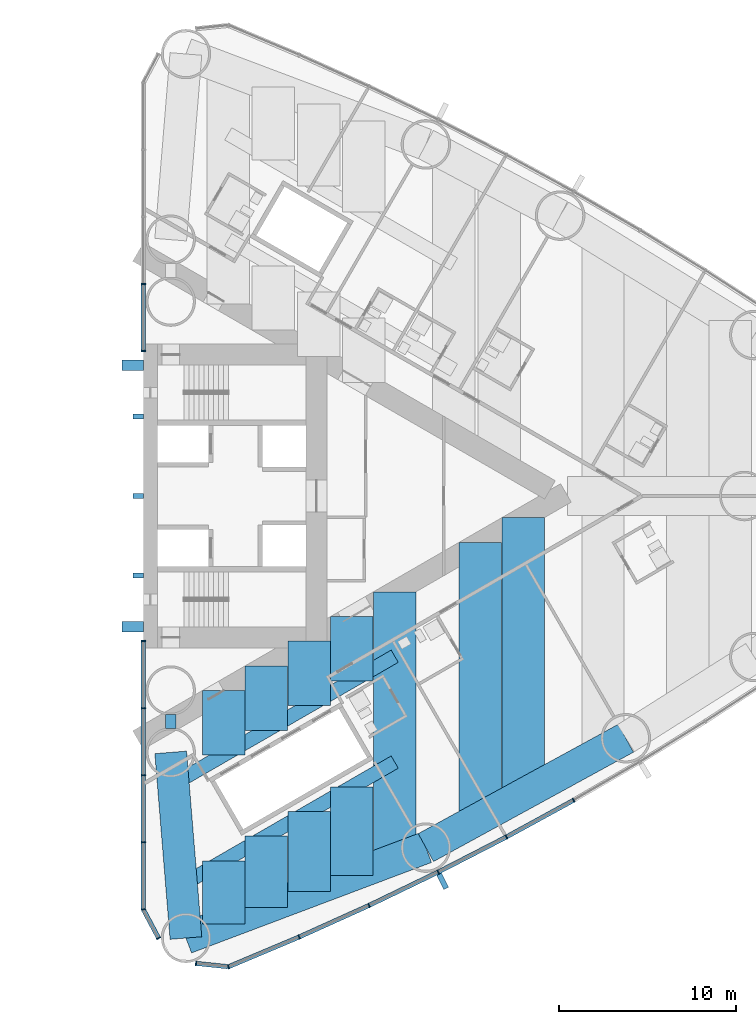
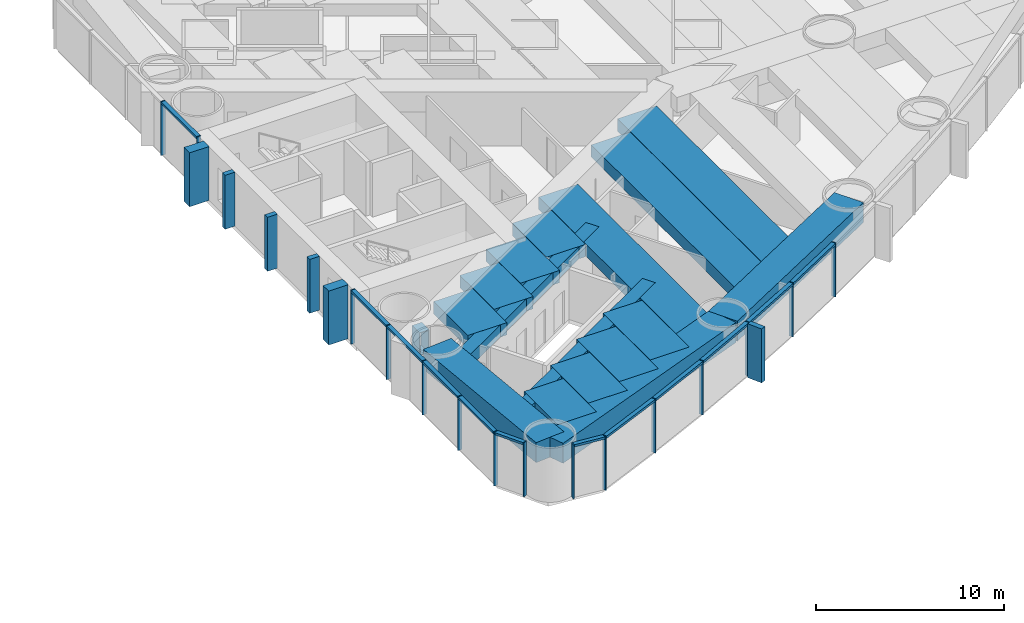
# One storey, part 6 of 18: 33 members, 17 beams, 3 elements without a shape of their own.
"""IFC4 building model written with IfcOpenShell, lengths in metres."""

from ifc_helpers import new_model, si_unit, direction, frame, origin, origin_2d, place, context, subcontext, project, spatial, rectangle, hollow_rectangle, extrude, material, material_profile, profile_set, type_object, element, aggregate, save


model = new_model("IFC4")

# Units and contexts
model_context = context("Model", 3, precision=1e-05, world=origin(), true_north=direction((0.0, 1.0)))
body_context = subcontext(model_context, "Body", "Model", "MODEL_VIEW")
ifc_project = project(units=[si_unit("LENGTHUNIT", "METRE"), si_unit("AREAUNIT", "SQUARE_METRE"), si_unit("VOLUMEUNIT", "CUBIC_METRE"), si_unit("PLANEANGLEUNIT", "RADIAN"), si_unit("MASSUNIT", "GRAM", prefix="KILO")], contexts=[model_context])

# Site, building, storey
site_placement = place(None, origin())
site = spatial("IfcSite", under=ifc_project, at=site_placement, CompositionType="ELEMENT")
building_placement = place(site_placement, origin())
building = spatial("IfcBuilding", under=site, at=building_placement, Name="Lancet Gate Hotel", CompositionType="ELEMENT")
storey_placement = place(building_placement, frame((0.0, 0.0, 46.0)))
storey = spatial("IfcBuildingStorey", under=building, at=storey_placement, Name="L11", CompositionType="ELEMENT", Elevation=46.0)

# Curtain wall, members
ifc_material_1 = material(Name="Aluminium curtain wall", Category="aluminium")
curtain_wall_type = type_object("IfcCurtainWallType", Name="Tower unitised curtain wall", PredefinedType="USERDEFINED", material=ifc_material_1)
curtain_wall_1_placement = place(storey_placement, origin())
curtain_wall_1 = element("IfcCurtainWall", 1, at=curtain_wall_1_placement, inside=storey, type_object=curtain_wall_type, Name="T2 L11 curtain wall 1", ObjectType="UNITISED CURTAIN WALL", PredefinedType="USERDEFINED")
ifc_material_2 = material(Name="Aluminium mullion", Category="aluminium")
ifc_material_profile_1 = material_profile(ifc_material_2, rectangle(XDim=0.06494140625, YDim=0.25, at=origin_2d()), Name="MULLION 65x250")
ifc_profile_set_1 = profile_set([ifc_material_profile_1], Name="Aluminium mullion")
member_type_1 = type_object("IfcMemberType", Name="Aluminium mullion 65x250", PredefinedType="MULLION", material=ifc_profile_set_1)
member_1_placement = place(storey_placement, frame((27.5, -8.199951171875, 0.0), z_axis=(0.0, 0.0, 1.0), x_axis=(0.0, -1.0, 0.0)))
member_1 = element("IfcMember", 2, at=member_1_placement, type_object=member_type_1, Name="T2 L11 curtain wall 1 mullion 1", PredefinedType="MULLION", context=body_context, shape_type="SweptSolid", body=[
    extrude(rectangle(XDim=0.06494140625, YDim=0.25, at=origin_2d()), origin(), (0.0, 0.0, 1.0), 3.5),
])
member_2_placement = place(storey_placement, frame((27.5, -11.99609375, 0.0), z_axis=(0.0, 0.0, 1.0), x_axis=(0.0, -1.0, 0.0)))
member_2 = element("IfcMember", 3, at=member_2_placement, type_object=member_type_1, Name="T2 L11 curtain wall 1 mullion 2", PredefinedType="MULLION", context=body_context, shape_type="SweptSolid", body=[
    extrude(rectangle(XDim=0.06494140625, YDim=0.25, at=origin_2d()), origin(), (0.0, 0.0, 1.0), 3.5),
])
member_3_placement = place(storey_placement, frame((27.5, -15.79248046875, 0.0), z_axis=(0.0, 0.0, 1.0), x_axis=(0.0, -1.0, 0.0)))
member_3 = element("IfcMember", 4, at=member_3_placement, type_object=member_type_1, Name="T2 L11 curtain wall 1 mullion 3", PredefinedType="MULLION", context=body_context, shape_type="SweptSolid", body=[
    extrude(rectangle(XDim=0.06494140625, YDim=0.25, at=origin_2d()), origin(), (0.0, 0.0, 1.0), 3.5),
])
member_4_placement = place(storey_placement, frame((27.5, -19.588623046875, 0.0), z_axis=(0.0, 0.0, 1.0), x_axis=(0.0, -1.0, 0.0)))
member_4 = element("IfcMember", 5, at=member_4_placement, type_object=member_type_1, Name="T2 L11 curtain wall 1 mullion 4", PredefinedType="MULLION", context=body_context, shape_type="SweptSolid", body=[
    extrude(rectangle(XDim=0.06494140625, YDim=0.25, at=origin_2d()), origin(), (0.0, 0.0, 1.0), 3.5),
])
member_5_placement = place(storey_placement, frame((27.5, -23.384765625, 0.0), z_axis=(0.0, 0.0, 1.0), x_axis=(0.157751691459, -0.987478811844, 0.0)))
member_5 = element("IfcMember", 6, at=member_5_placement, type_object=member_type_1, Name="T2 L11 curtain wall 1 mullion 5", PredefinedType="MULLION", context=body_context, shape_type="SweptSolid", body=[
    extrude(rectangle(XDim=0.06494140625, YDim=0.25, at=origin_2d()), origin(), (0.0, 0.0, 1.0), 3.5),
])
member_6_placement = place(storey_placement, frame((28.366455078125, -25.012451171875, 0.0), z_axis=(0.0, 0.0, 1.0), x_axis=(0.469897827284, -0.882720811987, 0.0)))
member_6 = element("IfcMember", 7, at=member_6_placement, type_object=member_type_1, Name="T2 L11 curtain wall 1 mullion 6", PredefinedType="MULLION", context=body_context, shape_type="SweptSolid", body=[
    extrude(rectangle(XDim=0.06494140625, YDim=0.25, at=origin_2d()), origin(), (0.0, 0.0, 1.0), 3.5),
])

curtain_wall_2_placement = place(storey_placement, origin())
curtain_wall_2 = element("IfcCurtainWall", 8, at=curtain_wall_2_placement, inside=storey, type_object=curtain_wall_type, Name="T2 L11 curtain wall 2", ObjectType="UNITISED CURTAIN WALL", PredefinedType="USERDEFINED")
member_7_placement = place(storey_placement, frame((30.48388671875, -26.4375, 0.0), z_axis=(0.0, 0.0, 1.0), x_axis=(0.994672262412, -0.10308778001, 0.0)))
member_7 = element("IfcMember", 9, at=member_7_placement, type_object=member_type_1, Name="T2 L11 curtain wall 2 mullion 1", PredefinedType="MULLION", context=body_context, shape_type="SweptSolid", body=[
    extrude(rectangle(XDim=0.06494140625, YDim=0.25, at=origin_2d()), origin(), (0.0, 0.0, 1.0), 3.5),
])
member_8_placement = place(storey_placement, frame((32.3173828125, -26.62744140625, 0.0), z_axis=(0.0, 0.0, 1.0), x_axis=(0.968721492963, 0.248150496819, 0.0)))
member_8 = element("IfcMember", 10, at=member_8_placement, type_object=member_type_1, Name="T2 L11 curtain wall 2 mullion 2", PredefinedType="MULLION", context=body_context, shape_type="SweptSolid", body=[
    extrude(rectangle(XDim=0.06494140625, YDim=0.25, at=origin_2d()), origin(), (0.0, 0.0, 1.0), 3.5),
])
member_9_placement = place(storey_placement, frame((36.31494140625, -24.943603515625, 0.0), z_axis=(0.0, 0.0, 1.0), x_axis=(0.916578705089, 0.399854320193, 0.0)))
member_9 = element("IfcMember", 11, at=member_9_placement, type_object=member_type_1, Name="T2 L11 curtain wall 2 mullion 3", PredefinedType="MULLION", context=body_context, shape_type="SweptSolid", body=[
    extrude(rectangle(XDim=0.06494140625, YDim=0.25, at=origin_2d()), origin(), (0.0, 0.0, 1.0), 3.5),
])
member_10_placement = place(storey_placement, frame((40.2685546875, -23.15869140625, 0.0), z_axis=(0.0, 0.0, 1.0), x_axis=(0.906104948671, 0.423052977762, 0.0)))
member_10 = element("IfcMember", 12, at=member_10_placement, type_object=member_type_1, Name="T2 L11 curtain wall 2 mullion 4", PredefinedType="MULLION", context=body_context, shape_type="SweptSolid", body=[
    extrude(rectangle(XDim=0.06494140625, YDim=0.25, at=origin_2d()), origin(), (0.0, 0.0, 1.0), 3.5),
])
member_11_placement = place(storey_placement, frame((44.17529296875, -21.273681640625, 0.0), z_axis=(0.0, 0.0, 1.0), x_axis=(0.895044147438, 0.445977548917, 0.0)))
member_11 = element("IfcMember", 13, at=member_11_placement, type_object=member_type_1, Name="T2 L11 curtain wall 2 mullion 5", PredefinedType="MULLION", context=body_context, shape_type="SweptSolid", body=[
    extrude(rectangle(XDim=0.06494140625, YDim=0.25, at=origin_2d()), origin(), (0.0, 0.0, 1.0), 3.5),
])
member_12_placement = place(storey_placement, frame((48.03271484375, -19.2900390625, 0.0), z_axis=(0.0, 0.0, 1.0), x_axis=(0.88340346743, 0.468613181347, 0.0)))
member_12 = element("IfcMember", 14, at=member_12_placement, type_object=member_type_1, Name="T2 L11 curtain wall 2 mullion 6", PredefinedType="MULLION", context=body_context, shape_type="SweptSolid", body=[
    extrude(rectangle(XDim=0.06494140625, YDim=0.25, at=origin_2d()), origin(), (0.0, 0.0, 1.0), 3.5),
])
member_13_placement = place(storey_placement, frame((51.838623046875, -17.208740234375, 0.0), z_axis=(0.0, 0.0, 1.0), x_axis=(0.871190450382, 0.490945209941, 0.0)))
member_13 = element("IfcMember", 15, at=member_13_placement, type_object=member_type_1, Name="T2 L11 curtain wall 2 mullion 7", PredefinedType="MULLION", context=body_context, shape_type="SweptSolid", body=[
    extrude(rectangle(XDim=0.06494140625, YDim=0.25, at=origin_2d()), origin(), (0.0, 0.0, 1.0), 3.5),
])

curtain_wall_3_placement = place(storey_placement, origin())
curtain_wall_3 = element("IfcCurtainWall", 16, at=curtain_wall_3_placement, inside=storey, type_object=curtain_wall_type, Name="T2 L11 curtain wall 4", ObjectType="UNITISED CURTAIN WALL", PredefinedType="USERDEFINED")
member_14_placement = place(storey_placement, frame((27.5, 11.99609375, 0.0), z_axis=(0.0, 0.0, 1.0), x_axis=(0.0, -1.0, 0.0)))
member_14 = element("IfcMember", 17, at=member_14_placement, type_object=member_type_1, Name="T2 L11 curtain wall 4 mullion 5", PredefinedType="MULLION", context=body_context, shape_type="SweptSolid", body=[
    extrude(rectangle(XDim=0.06494140625, YDim=0.25, at=origin_2d()), origin(), (0.0, 0.0, 1.0), 3.5),
])
member_15_placement = place(storey_placement, frame((27.5, 8.199951171875, 0.0), z_axis=(0.0, 0.0, 1.0), x_axis=(0.0, -1.0, 0.0)))
member_15 = element("IfcMember", 18, at=member_15_placement, type_object=member_type_1, Name="T2 L11 curtain wall 4 mullion 6", PredefinedType="MULLION", context=body_context, shape_type="SweptSolid", body=[
    extrude(rectangle(XDim=0.06494140625, YDim=0.25, at=origin_2d()), origin(), (0.0, 0.0, 1.0), 3.5),
])

# Member
ifc_material_3 = material(Name="Aluminium transom", Category="aluminium")
ifc_material_profile_2 = material_profile(ifc_material_3, rectangle(XDim=0.25, YDim=0.14990234375, at=origin_2d()), Name="TRANSOM 250x150")
ifc_profile_set_2 = profile_set([ifc_material_profile_2], Name="Aluminium transom")
member_type_2 = type_object("IfcMemberType", Name="Aluminium transom 250x150", PredefinedType="USERDEFINED", material=ifc_profile_set_2)
member_16_placement = place(storey_placement, frame((27.5, -8.232421875, 3.425048828125), z_axis=(0.0, -1.0, 0.0), x_axis=(1.0, 0.0, 0.0)))
member_16 = element("IfcMember", 19, at=member_16_placement, type_object=member_type_2, Name="T2 L11 curtain wall 1 transom 1", ObjectType="TRANSOM", PredefinedType="USERDEFINED", context=body_context, shape_type="SweptSolid", body=[
    extrude(rectangle(XDim=0.25, YDim=0.14990234375, at=origin_2d()), origin(), (0.0, 0.0, 1.0), 3.731201171875),
])

member_17_placement = place(storey_placement, frame((27.5, -12.02880859375, 3.425048828125), z_axis=(0.0, -1.0, 0.0), x_axis=(1.0, 0.0, 0.0)))
member_17 = element("IfcMember", 20, at=member_17_placement, type_object=member_type_2, Name="T2 L11 curtain wall 1 transom 2", ObjectType="TRANSOM", PredefinedType="USERDEFINED", context=body_context, shape_type="SweptSolid", body=[
    extrude(rectangle(XDim=0.25, YDim=0.14990234375, at=origin_2d()), origin(), (0.0, 0.0, 1.0), 3.731201171875),
])

member_18_placement = place(storey_placement, frame((27.5, -15.824951171875, 3.425048828125), z_axis=(0.0, -1.0, 0.0), x_axis=(1.0, 0.0, 0.0)))
member_18 = element("IfcMember", 21, at=member_18_placement, type_object=member_type_2, Name="T2 L11 curtain wall 1 transom 3", ObjectType="TRANSOM", PredefinedType="USERDEFINED", context=body_context, shape_type="SweptSolid", body=[
    extrude(rectangle(XDim=0.25, YDim=0.14990234375, at=origin_2d()), origin(), (0.0, 0.0, 1.0), 3.731201171875),
])

member_19_placement = place(storey_placement, frame((27.5, -19.62109375, 3.425048828125), z_axis=(0.0, -1.0, 0.0), x_axis=(1.0, 0.0, 0.0)))
member_19 = element("IfcMember", 22, at=member_19_placement, type_object=member_type_2, Name="T2 L11 curtain wall 1 transom 4", ObjectType="TRANSOM", PredefinedType="USERDEFINED", context=body_context, shape_type="SweptSolid", body=[
    extrude(rectangle(XDim=0.25, YDim=0.14990234375, at=origin_2d()), origin(), (0.0, 0.0, 1.0), 3.731201171875),
])

member_20_placement = place(storey_placement, frame((27.515380859375, -23.41357421875, 3.425048828125), z_axis=(0.469904276347, -0.882717378933, 0.0), x_axis=(0.882717378933, 0.469904276347, 0.0)))
member_20 = element("IfcMember", 23, at=member_20_placement, type_object=member_type_2, Name="T2 L11 curtain wall 1 transom 5", ObjectType="TRANSOM", PredefinedType="USERDEFINED", context=body_context, shape_type="SweptSolid", body=[
    extrude(rectangle(XDim=0.25, YDim=0.14990234375, at=origin_2d()), origin(), (0.0, 0.0, 1.0), 1.779052734375),
])

aggregate(curtain_wall_1, [member_1, member_2, member_3, member_4, member_5, member_6, member_16, member_17, member_18, member_19, member_20])

member_21_placement = place(storey_placement, frame((30.516357421875, -26.440673828125, 3.425048828125), z_axis=(0.994670452051, -0.103105246306, 0.0), x_axis=(0.103105246306, 0.994670452051, 0.0)))
member_21 = element("IfcMember", 24, at=member_21_placement, type_object=member_type_2, Name="T2 L11 curtain wall 2 transom 1", ObjectType="TRANSOM", PredefinedType="USERDEFINED", context=body_context, shape_type="SweptSolid", body=[
    extrude(rectangle(XDim=0.25, YDim=0.14990234375, at=origin_2d()), origin(), (0.0, 0.0, 1.0), 1.7783203125),
])

member_22_placement = place(storey_placement, frame((32.347412109375, -26.61474609375, 3.425048828125), z_axis=(0.92159772617, 0.388146404233, 0.0), x_axis=(-0.388146404233, 0.92159772617, 0.0)))
member_22 = element("IfcMember", 25, at=member_22_placement, type_object=member_type_2, Name="T2 L11 curtain wall 2 transom 2", ObjectType="TRANSOM", PredefinedType="USERDEFINED", context=body_context, shape_type="SweptSolid", body=[
    extrude(rectangle(XDim=0.25, YDim=0.14990234375, at=origin_2d()), origin(), (0.0, 0.0, 1.0), 4.272705078125),
])

member_23_placement = place(storey_placement, frame((36.3447265625, -24.930419921875, 3.425048828125), z_axis=(0.911396871737, 0.411528543589, 0.0), x_axis=(-0.411528543589, 0.911396871737, 0.0)))
member_23 = element("IfcMember", 26, at=member_23_placement, type_object=member_type_2, Name="T2 L11 curtain wall 2 transom 3", ObjectType="TRANSOM", PredefinedType="USERDEFINED", context=body_context, shape_type="SweptSolid", body=[
    extrude(rectangle(XDim=0.25, YDim=0.14990234375, at=origin_2d()), origin(), (0.0, 0.0, 1.0), 4.272705078125),
])

member_24_placement = place(storey_placement, frame((40.2978515625, -23.14453125, 3.425048828125), z_axis=(0.900646499888, 0.434552508035, 0.0), x_axis=(-0.434552508035, 0.900646499888, 0.0)))
member_24 = element("IfcMember", 27, at=member_24_placement, type_object=member_type_2, Name="T2 L11 curtain wall 2 transom 4", ObjectType="TRANSOM", PredefinedType="USERDEFINED", context=body_context, shape_type="SweptSolid", body=[
    extrude(rectangle(XDim=0.25, YDim=0.14990234375, at=origin_2d()), origin(), (0.0, 0.0, 1.0), 4.272705078125),
])

member_25_placement = place(storey_placement, frame((44.2041015625, -21.259033203125, 3.425048828125), z_axis=(0.88929576978, 0.457332520002, 0.0), x_axis=(-0.457332520002, 0.88929576978, 0.0)))
member_25 = element("IfcMember", 28, at=member_25_placement, type_object=member_type_2, Name="T2 L11 curtain wall 2 transom 5", ObjectType="TRANSOM", PredefinedType="USERDEFINED", context=body_context, shape_type="SweptSolid", body=[
    extrude(rectangle(XDim=0.25, YDim=0.14990234375, at=origin_2d()), origin(), (0.0, 0.0, 1.0), 4.272705078125),
])

member_26_placement = place(storey_placement, frame((48.061279296875, -19.2744140625, 3.425048828125), z_axis=(0.877377528879, 0.479800658417, 0.0), x_axis=(-0.479800658417, 0.877377528879, 0.0)))
member_26 = element("IfcMember", 29, at=member_26_placement, type_object=member_type_2, Name="T2 L11 curtain wall 2 transom 6", ObjectType="TRANSOM", PredefinedType="USERDEFINED", context=body_context, shape_type="SweptSolid", body=[
    extrude(rectangle(XDim=0.25, YDim=0.14990234375, at=origin_2d()), origin(), (0.0, 0.0, 1.0), 4.272705078125),
])

member_27_placement = place(storey_placement, frame((27.5, 11.963623046875, 3.425048828125), z_axis=(0.0, -1.0, 0.0), x_axis=(1.0, 0.0, 0.0)))
member_27 = element("IfcMember", 30, at=member_27_placement, type_object=member_type_2, Name="T2 L11 curtain wall 4 transom 5", ObjectType="TRANSOM", PredefinedType="USERDEFINED", context=body_context, shape_type="SweptSolid", body=[
    extrude(rectangle(XDim=0.25, YDim=0.14990234375, at=origin_2d()), origin(), (0.0, 0.0, 1.0), 3.731201171875),
])

aggregate(curtain_wall_3, [member_14, member_15, member_27])

# Beams
ifc_material_4 = material(Name="Concrete C50/60", Category="concrete")
ifc_material_profile_3 = material_profile(ifc_material_4, rectangle(XDim=1.800048828125, YDim=1.300048828125, at=origin_2d()), Name="RC 1800x1300")
ifc_profile_set_3 = profile_set([ifc_material_profile_3], Name="Concrete C50/60")
beam_type_1 = type_object("IfcBeamType", Name="Edge beam RC 1800x1300", PredefinedType="SPANDREL", material=ifc_profile_set_3)
beam_1_placement = place(storey_placement, frame((29.9111328125, -25.00244140625, 2.60009765625), z_axis=(0.935736448066, 0.352700013836, 0.0), x_axis=(-0.352700013836, 0.935736448066, 0.0)))
element("IfcBeam", 31, at=beam_1_placement, inside=storey, type_object=beam_type_1, Name="T2 edge beam EB1 L11", PredefinedType="SPANDREL", context=body_context, shape_type="SweptSolid", body=[
    extrude(rectangle(XDim=1.800048828125, YDim=1.300048828125, at=origin_2d()), origin(), (0.0, 0.0, 1.0), 14.505126953125),
])
beam_2_placement = place(storey_placement, frame((43.484130859375, -19.886474609375, 2.60009765625), z_axis=(0.87736889738, 0.479816441893, 0.0), x_axis=(-0.479816441893, 0.87736889738, 0.0)))
element("IfcBeam", 32, at=beam_2_placement, inside=storey, type_object=beam_type_1, Name="T2 edge beam EB1 L11", PredefinedType="SPANDREL", context=body_context, shape_type="SweptSolid", body=[
    extrude(rectangle(XDim=1.800048828125, YDim=1.300048828125, at=origin_2d()), origin(), (0.0, 0.0, 1.0), 12.89208984375),
])
beam_3_placement = place(storey_placement, frame((29.9111328125, -25.00244140625, 2.60009765625), z_axis=(-0.081714744052, 0.996655758326, 0.0), x_axis=(-0.996655758326, -0.081714744052, 0.0)))
element("IfcBeam", 33, at=beam_3_placement, inside=storey, type_object=beam_type_1, Name="T2 edge beam EB1 L11", PredefinedType="SPANDREL", context=body_context, shape_type="SweptSolid", body=[
    extrude(rectangle(XDim=1.800048828125, YDim=1.300048828125, at=origin_2d()), origin(), (0.0, 0.0, 1.0), 10.53759765625),
])

# Members
ifc_material_5 = material(Name="Concrete C60/75", Category="concrete")
ifc_material_profile_4 = material_profile(ifc_material_5, rectangle(XDim=0.60009765625, YDim=1.199951171875, at=origin_2d()), Name="FIN 600x1200")
ifc_profile_set_4 = profile_set([ifc_material_profile_4], Name="Concrete C60/75")
member_type_3 = type_object("IfcMemberType", Name="Exposed concrete buttress pilaster 600x1200", PredefinedType="USERDEFINED", material=ifc_profile_set_4)
for number, where, z_axis, x_axis, name in (
    (34, (26.909912109375, -7.39990234375, 0.0), (0.0, 0.0, 1.0), (0.0, 1.0, 0.0), "T2 buttress pilaster S L11"),
    (35, (26.909912109375, 7.39990234375, 0.0), (0.0, 0.0, 1.0), (0.0, 1.0, 0.0), "T2 buttress pilaster N L11"),
):
    element("IfcMember", number, at=place(storey_placement, frame(where, z_axis=z_axis, x_axis=x_axis)), inside=storey, type_object=member_type_3, Name=name, ObjectType="FIN", PredefinedType="USERDEFINED", context=body_context, shape_type="SweptSolid", body=[
        extrude(rectangle(XDim=0.60009765625, YDim=1.199951171875, at=origin_2d()), origin(), (0.0, 0.0, 1.0), 3.5),
    ])

# Member
ifc_material_6 = material(Name="Precast concrete C50/60", Category="concrete")
ifc_material_profile_5 = material_profile(ifc_material_6, rectangle(XDim=0.300048828125, YDim=0.89990234375, at=origin_2d()), Name="FIN 300x900")
ifc_profile_set_5 = profile_set([ifc_material_profile_5], Name="Precast concrete C50/60")
member_type_4 = type_object("IfcMemberType", Name="Exposed concrete fin 300x900", PredefinedType="USERDEFINED", material=ifc_profile_set_5)
member_28_placement = place(storey_placement, frame((44.431640625, -21.788330078125, 0.0), z_axis=(0.0, 0.0, 1.0), x_axis=(0.895044147438, 0.445977548917, 0.0)))
member_28 = element("IfcMember", 36, at=member_28_placement, type_object=member_type_4, Name="T2 L11 curtain wall 2 fin 5", ObjectType="FIN", PredefinedType="USERDEFINED", context=body_context, shape_type="SweptSolid", body=[
    extrude(rectangle(XDim=0.300048828125, YDim=0.89990234375, at=origin_2d()), origin(), (0.0, 0.0, 1.0), 3.5),
])

aggregate(curtain_wall_2, [member_7, member_8, member_9, member_10, member_11, member_28, member_12, member_13, member_21, member_22, member_23, member_24, member_25, member_26])

# Members
ifc_material_7 = material(Name="Concrete C60/75", Category="concrete")
ifc_material_profile_6 = material_profile(ifc_material_7, rectangle(XDim=0.300048828125, YDim=0.60009765625, at=origin_2d()), Name="FIN 300x600")
ifc_profile_set_6 = profile_set([ifc_material_profile_6], Name="Concrete C60/75")
member_type_5 = type_object("IfcMemberType", Name="Exposed concrete rib 300x600", PredefinedType="USERDEFINED", material=ifc_profile_set_6)
for number, where, z_axis, x_axis, name in (
    (37, (27.2099609375, -4.5, 0.0), (0.0, 0.0, 1.0), (0.0, 1.0, 0.0), "T2 core rib 1 L11"),
    (38, (27.2099609375, 0.0, 0.0), (0.0, 0.0, 1.0), (0.0, 1.0, 0.0), "T2 core rib 2 L11"),
    (39, (27.2099609375, 4.5, 0.0), (0.0, 0.0, 1.0), (0.0, 1.0, 0.0), "T2 core rib 3 L11"),
):
    element("IfcMember", number, at=place(storey_placement, frame(where, z_axis=z_axis, x_axis=x_axis)), inside=storey, type_object=member_type_5, Name=name, ObjectType="FIN", PredefinedType="USERDEFINED", context=body_context, shape_type="SweptSolid", body=[
        extrude(rectangle(XDim=0.300048828125, YDim=0.60009765625, at=origin_2d()), origin(), (0.0, 0.0, 1.0), 3.5),
    ])

# Beams
ifc_material_8 = material(Name="Concrete C50/60", Category="concrete")
ifc_material_profile_7 = material_profile(ifc_material_8, rectangle(XDim=2.39990234375, YDim=0.800048828125, at=origin_2d()), Name="RC 2400x800")
ifc_profile_set_7 = profile_set([ifc_material_profile_7], Name="Concrete C50/60")
beam_type_2 = type_object("IfcBeamType", Name="Floor beam RC 2400x800", PredefinedType="BEAM", material=ifc_profile_set_7)
beam_4_placement = place(storey_placement, frame((41.721435546875, -20.55078125, 2.85009765625), z_axis=(0.0, 1.0, 0.0), x_axis=(-1.0, 0.0, 0.0)))
element("IfcBeam", 40, at=beam_4_placement, inside=storey, type_object=beam_type_2, Name="T2 floor beam F11S L11", PredefinedType="BEAM", context=body_context, shape_type="SweptSolid", body=[
    extrude(rectangle(XDim=2.39990234375, YDim=0.800048828125, at=origin_2d()), origin(), (0.0, 0.0, 1.0), 15.134765625),
])
beam_5_placement = place(storey_placement, frame((46.561767578125, -18.203369140625, 2.85009765625), z_axis=(0.0, 1.0, 0.0), x_axis=(-1.0, 0.0, 0.0)))
element("IfcBeam", 41, at=beam_5_placement, inside=storey, type_object=beam_type_2, Name="T2 floor beam F13S L11", PredefinedType="BEAM", context=body_context, shape_type="SweptSolid", body=[
    extrude(rectangle(XDim=2.39990234375, YDim=0.800048828125, at=origin_2d()), origin(), (0.0, 0.0, 1.0), 15.58203125),
])
beam_6_placement = place(storey_placement, frame((48.98193359375, -16.879638671875, 2.85009765625), z_axis=(0.0, 1.0, 0.0), x_axis=(-1.0, 0.0, 0.0)))
element("IfcBeam", 42, at=beam_6_placement, inside=storey, type_object=beam_type_2, Name="T2 floor beam F15S L11", PredefinedType="BEAM", context=body_context, shape_type="SweptSolid", body=[
    extrude(rectangle(XDim=2.39990234375, YDim=0.800048828125, at=origin_2d()), origin(), (0.0, 0.0, 1.0), 15.655517578125),
])
beam_7_placement = place(storey_placement, frame((32.04052734375, -24.199951171875, 2.85009765625), z_axis=(0.0, 1.0, 0.0), x_axis=(-1.0, 0.0, 0.0)))
element("IfcBeam", 43, at=beam_7_placement, inside=storey, type_object=beam_type_2, Name="T2 floor beam F03SA L11", PredefinedType="BEAM", context=body_context, shape_type="SweptSolid", body=[
    extrude(rectangle(XDim=2.39990234375, YDim=0.800048828125, at=origin_2d()), origin(), (0.0, 0.0, 1.0), 3.5615234375),
])
beam_8_placement = place(storey_placement, frame((32.04052734375, -14.65087890625, 2.85009765625), z_axis=(0.0, 1.0, 0.0), x_axis=(-1.0, 0.0, 0.0)))
element("IfcBeam", 44, at=beam_8_placement, inside=storey, type_object=beam_type_2, Name="T2 floor beam F03SB L11", PredefinedType="BEAM", context=body_context, shape_type="SweptSolid", body=[
    extrude(rectangle(XDim=2.39990234375, YDim=0.800048828125, at=origin_2d()), origin(), (0.0, 0.0, 1.0), 3.6455078125),
])
beam_9_placement = place(storey_placement, frame((34.460693359375, -23.28759765625, 2.85009765625), z_axis=(0.0, 1.0, 0.0), x_axis=(-1.0, 0.0, 0.0)))
element("IfcBeam", 45, at=beam_9_placement, inside=storey, type_object=beam_type_2, Name="T2 floor beam F05SA L11", PredefinedType="BEAM", context=body_context, shape_type="SweptSolid", body=[
    extrude(rectangle(XDim=2.39990234375, YDim=0.800048828125, at=origin_2d()), origin(), (0.0, 0.0, 1.0), 4.04638671875),
])
beam_10_placement = place(storey_placement, frame((34.460693359375, -13.253662109375, 2.85009765625), z_axis=(0.0, 1.0, 0.0), x_axis=(-1.0, 0.0, 0.0)))
element("IfcBeam", 46, at=beam_10_placement, inside=storey, type_object=beam_type_2, Name="T2 floor beam F05SB L11", PredefinedType="BEAM", context=body_context, shape_type="SweptSolid", body=[
    extrude(rectangle(XDim=2.39990234375, YDim=0.800048828125, at=origin_2d()), origin(), (0.0, 0.0, 1.0), 3.645751953125),
])
beam_11_placement = place(storey_placement, frame((36.880859375, -22.37548828125, 2.85009765625), z_axis=(0.0, 1.0, 0.0), x_axis=(-1.0, 0.0, 0.0)))
element("IfcBeam", 47, at=beam_11_placement, inside=storey, type_object=beam_type_2, Name="T2 floor beam F07SA L11", PredefinedType="BEAM", context=body_context, shape_type="SweptSolid", body=[
    extrude(rectangle(XDim=2.39990234375, YDim=0.800048828125, at=origin_2d()), origin(), (0.0, 0.0, 1.0), 4.53173828125),
])
beam_12_placement = place(storey_placement, frame((36.880859375, -11.8564453125, 2.85009765625), z_axis=(0.0, 1.0, 0.0), x_axis=(-1.0, 0.0, 0.0)))
element("IfcBeam", 48, at=beam_12_placement, inside=storey, type_object=beam_type_2, Name="T2 floor beam F07SB L11", PredefinedType="BEAM", context=body_context, shape_type="SweptSolid", body=[
    extrude(rectangle(XDim=2.39990234375, YDim=0.800048828125, at=origin_2d()), origin(), (0.0, 0.0, 1.0), 3.645751953125),
])
beam_13_placement = place(storey_placement, frame((39.301025390625, -21.463134765625, 2.85009765625), z_axis=(0.0, 1.0, 0.0), x_axis=(-1.0, 0.0, 0.0)))
element("IfcBeam", 49, at=beam_13_placement, inside=storey, type_object=beam_type_2, Name="T2 floor beam F09SA L11", PredefinedType="BEAM", context=body_context, shape_type="SweptSolid", body=[
    extrude(rectangle(XDim=2.39990234375, YDim=0.800048828125, at=origin_2d()), origin(), (0.0, 0.0, 1.0), 5.0166015625),
])
beam_14_placement = place(storey_placement, frame((39.301025390625, -10.458984375, 2.85009765625), z_axis=(0.0, 1.0, 0.0), x_axis=(-1.0, 0.0, 0.0)))
element("IfcBeam", 50, at=beam_14_placement, inside=storey, type_object=beam_type_2, Name="T2 floor beam F09SB L11", PredefinedType="BEAM", context=body_context, shape_type="SweptSolid", body=[
    extrude(rectangle(XDim=2.39990234375, YDim=0.800048828125, at=origin_2d()), origin(), (0.0, 0.0, 1.0), 3.6455078125),
])
ifc_material_9 = material(Name="Steel S460QL", Category="steel")
ifc_material_profile_8 = material_profile(ifc_material_9, hollow_rectangle(XDim=0.60009765625, YDim=1.5, WallThickness=0.050048828125, at=origin_2d()), Name="BOX 1500x600x50")
ifc_profile_set_8 = profile_set([ifc_material_profile_8], Name="Steel S460QL")
beam_type_3 = type_object("IfcBeamType", Name="Inner-face link beam BOX 1500x600x50", PredefinedType="BEAM", material=ifc_profile_set_8)
beam_15_placement = place(storey_placement, frame((29.050048828125, -13.14990234375, 2.5), z_axis=(0.0, 1.0, 0.0), x_axis=(-1.0, 0.0, 0.0)))
element("IfcBeam", 51, at=beam_15_placement, inside=storey, type_object=beam_type_3, Name="T2 inner-face link beam LK1 L11", PredefinedType="BEAM", context=body_context, shape_type="SweptSolid", body=[
    extrude(hollow_rectangle(XDim=0.60009765625, YDim=1.5, WallThickness=0.050048828125, at=origin_2d()), origin(), (0.0, 0.0, 1.0), 0.7998046875),
])
ifc_material_10 = material(Name="Steel S460QL", Category="steel")
ifc_material_profile_9 = material_profile(ifc_material_10, hollow_rectangle(XDim=0.800048828125, YDim=0.800048828125, WallThickness=0.080078125, at=origin_2d()), Name="BOX 800x800x80")
ifc_profile_set_9 = profile_set([ifc_material_profile_9], Name="Steel S460QL")
beam_type_4 = type_object("IfcBeamType", Name="Trimmer beam BOX 800x800x80", PredefinedType="BEAM", material=ifc_profile_set_9)
beam_16_placement = place(storey_placement, frame((29.6201171875, -16.048095703125, 2.85009765625), z_axis=(0.866036909293, 0.499980071345, 0.0), x_axis=(-0.499980071345, 0.866036909293, 0.0)))
element("IfcBeam", 52, at=beam_16_placement, inside=storey, type_object=beam_type_4, Name="T2 trimmer beam TR01S L11", PredefinedType="BEAM", context=body_context, shape_type="SweptSolid", body=[
    extrude(hollow_rectangle(XDim=0.800048828125, YDim=0.800048828125, WallThickness=0.080078125, at=origin_2d()), origin(), (0.0, 0.0, 1.0), 13.97314453125),
])
beam_17_placement = place(storey_placement, frame((29.665771484375, -22.00927734375, 2.85009765625), z_axis=(0.866037222451, 0.499979528911, 0.0), x_axis=(-0.499979528911, 0.866037222451, 0.0)))
element("IfcBeam", 53, at=beam_17_placement, inside=storey, type_object=beam_type_4, Name="T2 trimmer beam TR02S L11", PredefinedType="BEAM", context=body_context, shape_type="SweptSolid", body=[
    extrude(hollow_rectangle(XDim=0.800048828125, YDim=0.800048828125, WallThickness=0.080078125, at=origin_2d()), origin(), (0.0, 0.0, 1.0), 13.92041015625),
])

save(model, "model.ifc")
